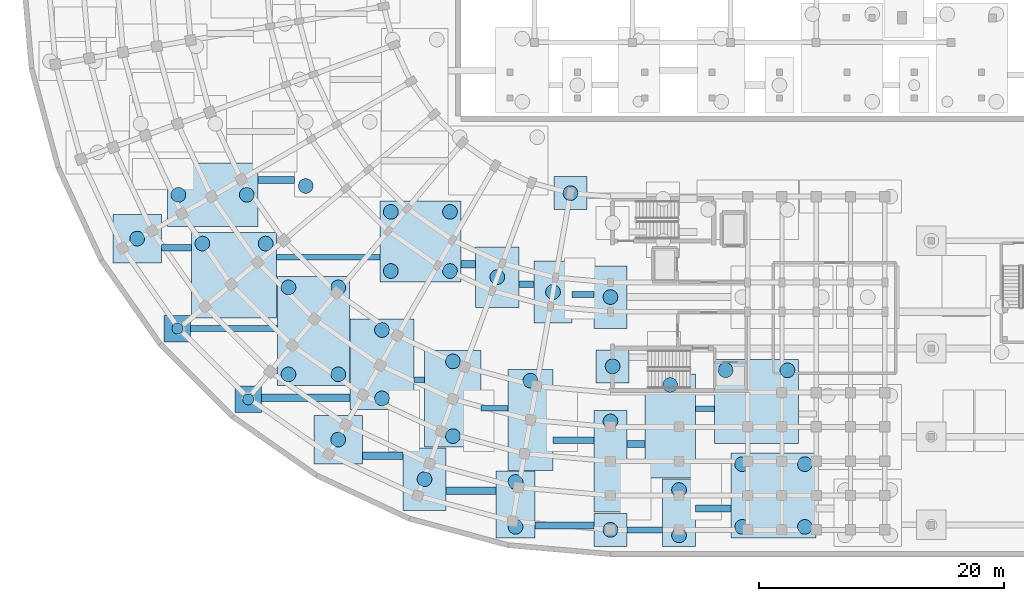
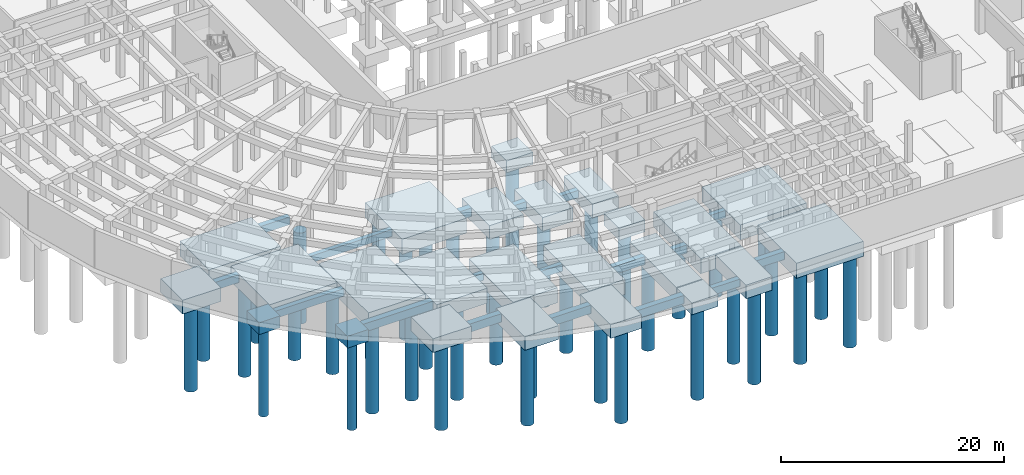
# One storey, part 1 of 53: 42 footings, 41 piles.
"""IFC4 building model written with IfcOpenShell, lengths in metres."""

import ifcopenshell
import ifcopenshell.guid

model = None  # the IFC model being written
_history = None  # IfcOwnerHistory: only IFC2X3 demands one
_inside = {}  # id of a spatial element -> (the spatial element, [elements in it])
_under = {}  # id of a project, library or spatial element -> (it, [spatial elements below it])
_declared = {}  # id of a project -> (the project, [libraries it declares])
_typed = {}  # id of a type object -> (the type object, [elements of that type])
_made_of = {}  # id of a material, layer set ... -> (it, [elements and type objects made of it])


def new_model(schema):
    """Start an empty IFC model of exactly this schema.

    Asked for "IFC4X3", IfcOpenShell would pick the latest addendum, in which some entities
    have other attributes; the version numbers below select the first issue.
    IFC2X3 requires an IfcOwnerHistory on every rooted entity: one is made here for all.
    """
    global model, _history
    if schema == "IFC4X3":
        model = ifcopenshell.file(schema_version=(4, 3, 0, 0))
    else:
        model = ifcopenshell.file(schema=schema)
    _inside.clear()
    _under.clear()
    _declared.clear()
    _typed.clear()
    _made_of.clear()
    _history = None
    if model.schema == "IFC2X3":
        org = make("IfcOrganization", Name="unknown")
        user = make(
            "IfcPersonAndOrganization",
            ThePerson=make("IfcPerson", FamilyName="unknown"),
            TheOrganization=org,
        )
        app = make(
            "IfcApplication",
            ApplicationDeveloper=org,
            Version="unknown",
            ApplicationFullName="unknown",
            ApplicationIdentifier="unknown",
        )
        _history = make(
            "IfcOwnerHistory",
            OwningUser=user,
            OwningApplication=app,
            ChangeAction="ADDED",
            CreationDate=0,
        )
    return model


def make(cls, **values):
    """One entity of the class cls with the attributes given. An attribute that is None is left unset."""
    return model.create_entity(
        cls, **{name: value for name, value in values.items() if value is not None}
    )


def rooted(cls, **values):
    """An entity with a GlobalId (a new one), such as an element, a storey or a relation."""
    return make(cls, GlobalId=ifcopenshell.guid.new(), OwnerHistory=_history, **values)


def si_unit(unit_type, name, prefix=None):
    """IfcSIUnit, for example si_unit("LENGTHUNIT", "METRE", prefix="MILLI")."""
    return make("IfcSIUnit", UnitType=unit_type, Prefix=prefix, Name=name)


def assignment(units):
    """IfcUnitAssignment: the units of a project."""
    return None if units is None else make("IfcUnitAssignment", Units=units)


def point(xyz):
    """IfcCartesianPoint."""
    return None if xyz is None else make("IfcCartesianPoint", Coordinates=xyz)


def direction(xyz):
    """IfcDirection."""
    return None if xyz is None else make("IfcDirection", DirectionRatios=xyz)


def frame(location, z_axis=None, x_axis=None):
    """IfcAxis2Placement3D, a coordinate frame: its origin and axes. An axis left out is left unset."""
    return make(
        "IfcAxis2Placement3D",
        Location=point(location),
        Axis=direction(z_axis),
        RefDirection=direction(x_axis),
    )


def frame_2d(location, x_axis=None):
    """IfcAxis2Placement2D, a coordinate frame in the plane: its origin and x axis."""
    return make(
        "IfcAxis2Placement2D", Location=point(location), RefDirection=direction(x_axis)
    )


def origin():
    """The frame at (0, 0, 0) with its axes left unset."""
    return frame((0.0, 0.0, 0.0))


def origin_2d():
    """The frame at (0, 0) in the plane with its x axis left unset."""
    return frame_2d((0.0, 0.0))


def place(relative_to, where):
    """IfcLocalPlacement: puts the frame where relative to a parent placement (None: the world)."""
    return make(
        "IfcLocalPlacement", PlacementRelTo=relative_to, RelativePlacement=where
    )


def context(
    kind, dimensions, precision=None, world=None, true_north=None, identifier=None
):
    """IfcGeometricRepresentationContext, for example the 3D "Model" context."""
    return make(
        "IfcGeometricRepresentationContext",
        ContextIdentifier=identifier,
        ContextType=kind,
        CoordinateSpaceDimension=dimensions,
        Precision=precision,
        WorldCoordinateSystem=world,
        TrueNorth=true_north,
    )


def subcontext(parent, identifier, kind, view, scale=None):
    """IfcGeometricRepresentationSubContext, for example "Body" below "Model"."""
    return make(
        "IfcGeometricRepresentationSubContext",
        ContextIdentifier=identifier,
        ContextType=kind,
        ParentContext=parent,
        TargetScale=scale,
        TargetView=view,
    )


def project(units=None, contexts=None):
    """IfcProject with its units and contexts."""
    return rooted(
        "IfcProject",
        Name="project",
        RepresentationContexts=contexts,
        UnitsInContext=assignment(units),
    )


def spatial(cls, under=None, at=None, **own):
    """A site, building, storey or space (cls), placed at a placement, below another one or the project."""
    s = rooted(cls, ObjectPlacement=at, **own)
    if under is not None:
        _under.setdefault(under.id(), (under, []))[1].append(s)
    return s


def profile(cls, at=None, kind="AREA", **sizes):
    """A parametric profile (cls). Its sizes go by their IFC names, for example OverallWidth=200.0."""
    return make(cls, ProfileType=kind, Position=at, **sizes)


def rectangle(**sizes):
    """IfcRectangleProfileDef."""
    return profile("IfcRectangleProfileDef", **sizes)


def circle(**sizes):
    """IfcCircleProfileDef."""
    return profile("IfcCircleProfileDef", **sizes)


def extrude(swept, where, along, depth):
    """IfcExtrudedAreaSolid: the profile swept, set in the frame where, extruded along a direction by depth."""
    return make(
        "IfcExtrudedAreaSolid",
        SweptArea=swept,
        Position=where,
        ExtrudedDirection=direction(along),
        Depth=depth,
    )


def shape(context_of_items, identifier, shape_type, items):
    """IfcShapeRepresentation: the items that make up one representation, for example the "Body"."""
    return make(
        "IfcShapeRepresentation",
        ContextOfItems=context_of_items,
        RepresentationIdentifier=identifier,
        RepresentationType=shape_type,
        Items=items,
    )


def material(Name=None, Category=None):
    """IfcMaterial."""
    return make("IfcMaterial", Name=Name, Category=Category)


def material_profile(
    of_material, cross_section, Name=None, Category=None, Priority=None
):
    """IfcMaterialProfile: a cross section and its material."""
    return make(
        "IfcMaterialProfile",
        Name=Name,
        Material=of_material,
        Profile=cross_section,
        Priority=Priority,
        Category=Category,
    )


def profile_set(profiles, Name=None, composite=None):
    """IfcMaterialProfileSet."""
    return make(
        "IfcMaterialProfileSet",
        Name=Name,
        MaterialProfiles=profiles,
        CompositeProfile=composite,
    )


def made_of(thing, what):
    """Note that an element or type object is made of a material, layer set ...; save() writes the relation."""
    if what is not None:
        _made_of.setdefault(what.id(), (what, []))[1].append(thing)
    return thing


def type_object(cls, material=None, **own):
    """A type object (cls), such as IfcWallType, which elements share."""
    return made_of(rooted(cls, **own), material)


def element(
    cls,
    number,
    at=None,
    inside=None,
    cuts=None,
    type_object=None,
    material=None,
    context=None,
    identifier="Body",
    shape_type=None,
    held_by="IfcProductDefinitionShape",
    body=None,
    shapes=None,
    **own,
):
    """One element of the class cls, such as IfcWall. Its Tag is "e" and its number.

    at: its placement. inside: the storey or other place that contains it. cuts: it is an
    opening in that element (IfcRelVoidsElement). A single representation is given by context,
    identifier, shape_type and body (its items); several are given by shapes. held_by: the class
    of the entity that holds the representations. save() writes the other relations.
    """
    e = rooted(cls, Tag="e%d" % number, ObjectPlacement=at, **own)
    if body is not None:
        shapes = [shape(context, identifier, shape_type, body)]
    if shapes is not None:
        e.Representation = make(held_by, Representations=shapes)
    if inside is not None:
        _inside.setdefault(inside.id(), (inside, []))[1].append(e)
    if cuts is not None:
        rooted(
            "IfcRelVoidsElement", RelatingBuildingElement=cuts, RelatedOpeningElement=e
        )
    if type_object is not None:
        _typed.setdefault(type_object.id(), (type_object, []))[1].append(e)
    return made_of(e, material)


def aggregate(whole, parts):
    """IfcRelAggregates: a whole, such as a stair, and the parts it consists of."""
    return rooted("IfcRelAggregates", RelatingObject=whole, RelatedObjects=parts)


def save(model, path):
    """Write the relations noted so far, then the file.

    IfcRelAggregates (storeys below a building ...), IfcRelContainedInSpatialStructure (elements
    in a storey), IfcRelDefinesByType, IfcRelAssociatesMaterial and IfcRelDeclares: one each for
    every whole, place, type object, material and project.
    """
    for whole, parts in _under.values():
        aggregate(whole, parts)
    for where, things in _inside.values():
        rooted(
            "IfcRelContainedInSpatialStructure",
            RelatedElements=things,
            RelatingStructure=where,
        )
    for kind, things in _typed.values():
        rooted("IfcRelDefinesByType", RelatedObjects=things, RelatingType=kind)
    for what, things in _made_of.values():
        rooted("IfcRelAssociatesMaterial", RelatedObjects=things, RelatingMaterial=what)
    for by, libraries in _declared.values():
        rooted("IfcRelDeclares", RelatingContext=by, RelatedDefinitions=libraries)
    model.write(path)


model = new_model("IFC4")

# Units and contexts
model_context = context("Model", 3, precision=1e-05, world=origin(), true_north=direction((0.0, 1.0)))
body_context = subcontext(model_context, "Body", "Model", "MODEL_VIEW")
ifc_project = project(units=[si_unit("LENGTHUNIT", "METRE"), si_unit("AREAUNIT", "SQUARE_METRE"), si_unit("VOLUMEUNIT", "CUBIC_METRE"), si_unit("PLANEANGLEUNIT", "RADIAN"), si_unit("MASSUNIT", "GRAM", prefix="KILO")], contexts=[model_context])

# Site, building, storey
site_placement = place(None, origin())
site = spatial("IfcSite", under=ifc_project, at=site_placement, CompositionType="ELEMENT")
building_placement = place(site_placement, origin())
building = spatial("IfcBuilding", under=site, at=building_placement, Name="Kiranvali Square Residences", CompositionType="ELEMENT")
storey_placement = place(building_placement, frame((0.0, 0.0, -4.5)))
storey = spatial("IfcBuildingStorey", under=building, at=storey_placement, Name="B1", CompositionType="ELEMENT", Elevation=-4.5)

# Footings
ifc_material = material(Name="Concrete M40 (40 MPa)", Category="concrete")
footing_type_1 = type_object("IfcFootingType", Name="FTG-PILE_CAP-217x217x130", PredefinedType="PILE_CAP", material=ifc_material)
for number, where, z_axis, x_axis, name in (
    (1, (18.632080078125, 12.845947265625, -1.7998046875), (0.0, 0.0, 1.0), (1.0, 0.0, 0.0), "B1 pile cap 034"),
    (2, (12.845947265625, 18.632080078125, -1.7998046875), (0.0, 0.0, 1.0), (1.0, 0.0, 0.0), "B1 pile cap 045"),
):
    element("IfcFooting", number, at=place(storey_placement, frame(where, z_axis=z_axis, x_axis=x_axis)), inside=storey, type_object=footing_type_1, Name=name, PredefinedType="PILE_CAP", context=body_context, shape_type="SweptSolid", body=[
        extrude(rectangle(XDim=2.16796875, YDim=2.16796875, at=origin_2d()), origin(), (0.0, 0.0, 1.0), 1.300048828125),
    ])
footing_type_2 = type_object("IfcFootingType", Name="FTG-PILE_CAP-270x270x130", PredefinedType="PILE_CAP", material=ifc_material)
for number, where, z_axis, x_axis, name in (
    (3, (48.199951171875, 2.199951171875, -1.7998046875), (0.0, 0.0, 1.0), (1.0, 0.0, 0.0), "B1 pile cap 001"),
    (4, (48.375, 15.550048828125, -1.7998046875), (0.0, 0.0, 1.0), (1.0, 0.0, 0.0), "B1 pile cap 039"),
    (5, (44.93505859375, 29.68603515625, -1.7998046875), (0.0, 0.0, 1.0), (1.0, 0.0, 0.0), "B1 pile cap 069"),
):
    element("IfcFooting", number, at=place(storey_placement, frame(where, z_axis=z_axis, x_axis=x_axis)), inside=storey, type_object=footing_type_2, Name=name, PredefinedType="PILE_CAP", context=body_context, shape_type="SweptSolid", body=[
        extrude(rectangle(XDim=2.699951171875, YDim=2.699951171875, at=origin_2d()), origin(), (0.0, 0.0, 1.0), 1.300048828125),
    ])
footing_type_3 = type_object("IfcFootingType", Name="FTG-PILE_CAP-395x395x150", PredefinedType="PILE_CAP", material=ifc_material)
for number, where, z_axis, x_axis, name in (
    (6, (25.97509765625, 9.56689453125, -2.0), (0.0, 0.0, 1.0), (1.0, 0.0, 0.0), "B1 pile cap 016"),
    (7, (9.56689453125, 25.97509765625, -2.0), (0.0, 0.0, 1.0), (1.0, 0.0, 0.0), "B1 pile cap 060"),
):
    element("IfcFooting", number, at=place(storey_placement, frame(where, z_axis=z_axis, x_axis=x_axis)), inside=storey, type_object=footing_type_3, Name=name, PredefinedType="PILE_CAP", context=body_context, shape_type="SweptSolid", body=[
        extrude(rectangle(XDim=3.949951171875, YDim=3.949951171875, at=origin_2d()), origin(), (0.0, 0.0, 1.0), 1.5),
    ])
footing_type_4 = type_object("IfcFootingType", Name="FTG-PILE_CAP-496x352x150", PredefinedType="PILE_CAP", material=ifc_material)
footing_1_placement = place(storey_placement, frame((38.965576171875, 22.82861328125, -2.0), z_axis=(0.0, 0.0, 1.0), x_axis=(0.0, 1.0, 0.0)))
element("IfcFooting", 8, at=footing_1_placement, inside=storey, type_object=footing_type_4, Name="B1 pile cap 051", PredefinedType="PILE_CAP", context=body_context, shape_type="SweptSolid", body=[
    extrude(rectangle(XDim=4.955078125, YDim=3.52099609375, at=origin_2d()), origin(), (0.0, 0.0, 1.0), 1.5),
])
footing_type_5 = type_object("IfcFootingType", Name="FTG-PILE_CAP-506x312x150", PredefinedType="PILE_CAP", material=ifc_material)
footing_2_placement = place(storey_placement, frame((43.511474609375, 21.610107421875, -2.0), z_axis=(0.0, 0.0, 1.0), x_axis=(0.0, 1.0, 0.0)))
element("IfcFooting", 9, at=footing_2_placement, inside=storey, type_object=footing_type_5, Name="B1 pile cap 050", PredefinedType="PILE_CAP", context=body_context, shape_type="SweptSolid", body=[
    extrude(rectangle(XDim=5.06396484375, YDim=3.116943359375, at=origin_2d()), origin(), (0.0, 0.0, 1.0), 1.5),
])
footing_type_6 = type_object("IfcFootingType", Name="FTG-PILE_CAP-510x270x150", PredefinedType="PILE_CAP", material=ifc_material)
footing_3_placement = place(storey_placement, frame((48.199951171875, 21.199951171875, -2.0), z_axis=(0.0, 0.0, 1.0), x_axis=(0.0, 1.0, 0.0)))
element("IfcFooting", 10, at=footing_3_placement, inside=storey, type_object=footing_type_6, Name="B1 pile cap 046", PredefinedType="PILE_CAP", context=body_context, shape_type="SweptSolid", body=[
    extrude(rectangle(XDim=5.10009765625, YDim=2.699951171875, at=origin_2d()), origin(), (0.0, 0.0, 1.0), 1.5),
])
footing_type_7 = type_object("IfcFootingType", Name="FTG-PILE_CAP-512x351x150", PredefinedType="PILE_CAP", material=ifc_material)
footing_4_placement = place(storey_placement, frame((33.02099609375, 6.33251953125, -2.0), z_axis=(0.0, 0.0, 1.0), x_axis=(0.0, 1.0, 0.0)))
element("IfcFooting", 11, at=footing_4_placement, inside=storey, type_object=footing_type_7, Name="B1 pile cap 012", PredefinedType="PILE_CAP", context=body_context, shape_type="SweptSolid", body=[
    extrude(rectangle(XDim=5.116943359375, YDim=3.508056640625, at=origin_2d()), origin(), (0.0, 0.0, 1.0), 1.5),
])
footing_type_8 = type_object("IfcFootingType", Name="FTG-PILE_CAP-546x319x150", PredefinedType="PILE_CAP", material=ifc_material)
footing_5_placement = place(storey_placement, frame((40.455078125, 4.277587890625, -2.0), z_axis=(0.0, 0.0, 1.0), x_axis=(0.0, 1.0, 0.0)))
element("IfcFooting", 12, at=footing_5_placement, inside=storey, type_object=footing_type_8, Name="B1 pile cap 007", PredefinedType="PILE_CAP", context=body_context, shape_type="SweptSolid", body=[
    extrude(rectangle(XDim=5.45703125, YDim=3.18603515625, at=origin_2d()), origin(), (0.0, 0.0, 1.0), 1.5),
])
footing_type_9 = type_object("IfcFootingType", Name="FTG-PILE_CAP-550x270x150", PredefinedType="PILE_CAP", material=ifc_material)
footing_6_placement = place(storey_placement, frame((53.800048828125, 3.60009765625, -2.0), z_axis=(0.0, 0.0, 1.0), x_axis=(0.0, 1.0, 0.0)))
element("IfcFooting", 13, at=footing_6_placement, inside=storey, type_object=footing_type_9, Name="B1 pile cap 002", PredefinedType="PILE_CAP", context=body_context, shape_type="SweptSolid", body=[
    extrude(rectangle(XDim=5.5, YDim=2.699951171875, at=origin_2d()), origin(), (0.0, 0.0, 1.0), 1.5),
])
footing_type_10 = type_object("IfcFootingType", Name="FTG-PILE_CAP-663x663x165", PredefinedType="PILE_CAP", material=ifc_material)
footing_7_placement = place(storey_placement, frame((32.6865234375, 25.743408203125, -2.14990234375), z_axis=(0.0, 0.0, 1.0), x_axis=(1.0, 0.0, 0.0)))
element("IfcFooting", 14, at=footing_7_placement, inside=storey, type_object=footing_type_10, Name="B1 pile cap 052", PredefinedType="PILE_CAP", context=body_context, shape_type="SweptSolid", body=[
    extrude(rectangle(XDim=6.631103515625, YDim=6.631103515625, at=origin_2d()), origin(), (0.0, 0.0, 1.0), 1.64990234375),
])
footing_type_11 = type_object("IfcFootingType", Name="FTG-PILE_CAP-688x685x165", PredefinedType="PILE_CAP", material=ifc_material)
footing_8_placement = place(storey_placement, frame((60.125, 12.6875, -2.14990234375), z_axis=(0.0, 0.0, 1.0), x_axis=(0.0, 1.0, 0.0)))
element("IfcFooting", 15, at=footing_8_placement, inside=storey, type_object=footing_type_11, Name="B1 pile cap 023", PredefinedType="PILE_CAP", context=body_context, shape_type="SweptSolid", body=[
    extrude(rectangle(XDim=6.875, YDim=6.85009765625, at=origin_2d()), origin(), (0.0, 0.0, 1.0), 1.64990234375),
])
footing_type_12 = type_object("IfcFootingType", Name="FTG-PILE_CAP-692x692x165", PredefinedType="PILE_CAP", material=ifc_material)
footing_9_placement = place(storey_placement, frame((61.510009765625, 5.0, -2.14990234375), z_axis=(0.0, 0.0, 1.0), x_axis=(1.0, 0.0, 0.0)))
element("IfcFooting", 16, at=footing_9_placement, inside=storey, type_object=footing_type_12, Name="B1 pile cap 003", PredefinedType="PILE_CAP", context=body_context, shape_type="SweptSolid", body=[
    extrude(rectangle(XDim=6.919921875, YDim=6.919921875, at=origin_2d()), origin(), (0.0, 0.0, 1.0), 1.64990234375),
])
footing_type_13 = type_object("IfcFootingType", Name="FTG-PILE_CAP-697x697x165", PredefinedType="PILE_CAP", material=ifc_material)
footing_10_placement = place(storey_placement, frame((17.472900390625, 22.98388671875, -2.14990234375), z_axis=(0.0, 0.0, 1.0), x_axis=(1.0, 0.0, 0.0)))
element("IfcFooting", 17, at=footing_10_placement, inside=storey, type_object=footing_type_13, Name="B1 pile cap 049", PredefinedType="PILE_CAP", context=body_context, shape_type="SweptSolid", body=[
    extrude(rectangle(XDim=6.968017578125, YDim=6.968017578125, at=origin_2d()), origin(), (0.0, 0.0, 1.0), 1.64990234375),
])
footing_type_14 = type_object("IfcFootingType", Name="FTG-PILE_CAP-738x520x165", PredefinedType="PILE_CAP", material=ifc_material)
for number, where, z_axis, x_axis, name in (
    (18, (29.548095703125, 15.720947265625, -2.14990234375), (0.0, 0.0, 1.0), (0.0, 1.0, 0.0), "B1 pile cap 035"),
    (19, (15.720947265625, 29.548095703125, -2.14990234375), (0.0, 0.0, 1.0), (1.0, 0.0, 0.0), "B1 pile cap 066"),
):
    element("IfcFooting", number, at=place(storey_placement, frame(where, z_axis=z_axis, x_axis=x_axis)), inside=storey, type_object=footing_type_14, Name=name, PredefinedType="PILE_CAP", context=body_context, shape_type="SweptSolid", body=[
        extrude(rectangle(XDim=7.382080078125, YDim=5.2041015625, at=origin_2d()), origin(), (0.0, 0.0, 1.0), 1.64990234375),
    ])
footing_type_15 = type_object("IfcFootingType", Name="FTG-PILE_CAP-790x462x165", PredefinedType="PILE_CAP", material=ifc_material)
footing_11_placement = place(storey_placement, frame((35.340087890625, 12.8994140625, -2.14990234375), z_axis=(0.0, 0.0, 1.0), x_axis=(0.0, 1.0, 0.0)))
element("IfcFooting", 20, at=footing_11_placement, inside=storey, type_object=footing_type_15, Name="B1 pile cap 022", PredefinedType="PILE_CAP", context=body_context, shape_type="SweptSolid", body=[
    extrude(rectangle(XDim=7.89892578125, YDim=4.615966796875, at=origin_2d()), origin(), (0.0, 0.0, 1.0), 1.64990234375),
])
footing_type_16 = type_object("IfcFootingType", Name="FTG-PILE_CAP-821x367x165", PredefinedType="PILE_CAP", material=ifc_material)
footing_12_placement = place(storey_placement, frame((41.6708984375, 11.17138671875, -2.14990234375), z_axis=(0.0, 0.0, 1.0), x_axis=(0.0, 1.0, 0.0)))
element("IfcFooting", 21, at=footing_12_placement, inside=storey, type_object=footing_type_16, Name="B1 pile cap 015", PredefinedType="PILE_CAP", context=body_context, shape_type="SweptSolid", body=[
    extrude(rectangle(XDim=8.215087890625, YDim=3.672119140625, at=origin_2d()), origin(), (0.0, 0.0, 1.0), 1.64990234375),
])
footing_type_17 = type_object("IfcFootingType", Name="FTG-PILE_CAP-830x270x150", PredefinedType="PILE_CAP", material=ifc_material)
footing_13_placement = place(storey_placement, frame((48.199951171875, 7.800048828125, -2.0), z_axis=(0.0, 0.0, 1.0), x_axis=(0.0, 1.0, 0.0)))
element("IfcFooting", 22, at=footing_13_placement, inside=storey, type_object=footing_type_17, Name="B1 pile cap 011", PredefinedType="PILE_CAP", context=body_context, shape_type="SweptSolid", body=[
    extrude(rectangle(XDim=8.300048828125, YDim=2.699951171875, at=origin_2d()), origin(), (0.0, 0.0, 1.0), 1.5),
])
footing_type_18 = type_object("IfcFootingType", Name="FTG-PILE_CAP-847x415x165", PredefinedType="PILE_CAP", material=ifc_material)
footing_14_placement = place(storey_placement, frame((53.075927734375, 10.6875, -2.14990234375), z_axis=(0.0, 0.0, 1.0), x_axis=(0.0, 1.0, 0.0)))
element("IfcFooting", 23, at=footing_14_placement, inside=storey, type_object=footing_type_18, Name="B1 pile cap 013", PredefinedType="PILE_CAP", context=body_context, shape_type="SweptSolid", body=[
    extrude(rectangle(XDim=8.47509765625, YDim=4.14794921875, at=origin_2d()), origin(), (0.0, 0.0, 1.0), 1.64990234375),
])
footing_type_19 = type_object("IfcFootingType", Name="FTG-PILE_CAP-890x587x165", PredefinedType="PILE_CAP", material=ifc_material)
footing_15_placement = place(storey_placement, frame((23.951416015625, 18.4404296875, -2.14990234375), z_axis=(0.0, 0.0, 1.0), x_axis=(0.0, 1.0, 0.0)))
element("IfcFooting", 24, at=footing_15_placement, inside=storey, type_object=footing_type_19, Name="B1 pile cap 038", PredefinedType="PILE_CAP", context=body_context, shape_type="SweptSolid", body=[
    extrude(rectangle(XDim=8.903076171875, YDim=5.868896484375, at=origin_2d()), origin(), (0.0, 0.0, 1.0), 1.64990234375),
])
ifc_material_profile_1 = material_profile(ifc_material, rectangle(XDim=0.449951171875, YDim=0.75, at=origin_2d()), Name="GB 450x750")
ifc_profile_set_1 = profile_set([ifc_material_profile_1], Name="Concrete M40 (40 MPa)")
footing_type_20 = type_object("IfcFootingType", Name="GB-M40-450x750", PredefinedType="FOOTING_BEAM", material=ifc_profile_set_1)
footing_16_placement = place(storey_placement, frame((55.14990234375, 12.08740234375, -0.875), z_axis=(1.0, 0.0, 0.0), x_axis=(0.0, 1.0, 0.0)))
element("IfcFooting", 25, at=footing_16_placement, inside=storey, type_object=footing_type_20, Name="Continuous foundation ground beam GB-012", PredefinedType="FOOTING_BEAM", context=body_context, shape_type="SweptSolid", body=[
    extrude(rectangle(XDim=0.449951171875, YDim=0.75, at=origin_2d()), origin(), (0.0, 0.0, 1.0), 1.550048828125),
])
footing_17_placement = place(storey_placement, frame((37.64794921875, 12.114501953125, -0.875), z_axis=(1.0, 0.0, 0.0), x_axis=(0.0, 1.0, 0.0)))
element("IfcFooting", 26, at=footing_17_placement, inside=storey, type_object=footing_type_20, Name="Continuous foundation ground beam GB-020", PredefinedType="FOOTING_BEAM", context=body_context, shape_type="SweptSolid", body=[
    extrude(rectangle(XDim=0.449951171875, YDim=0.75, at=origin_2d()), origin(), (0.0, 0.0, 1.0), 2.18701171875),
])
footing_18_placement = place(storey_placement, frame((32.14990234375, 14.439453125, -0.875), z_axis=(1.0, 0.0, 0.0), x_axis=(0.0, 1.0, 0.0)))
element("IfcFooting", 27, at=footing_18_placement, inside=storey, type_object=footing_type_20, Name="Continuous foundation ground beam GB-032", PredefinedType="FOOTING_BEAM", context=body_context, shape_type="SweptSolid", body=[
    extrude(rectangle(XDim=0.449951171875, YDim=0.75, at=origin_2d()), origin(), (0.0, 0.0, 1.0), 0.882080078125),
])
footing_19_placement = place(storey_placement, frame((20.95703125, 24.447998046875, -0.875), z_axis=(1.0, 0.0, 0.0), x_axis=(0.0, 1.0, 0.0)))
element("IfcFooting", 28, at=footing_19_placement, inside=storey, type_object=footing_type_20, Name="Continuous foundation ground beam GB-040", PredefinedType="FOOTING_BEAM", context=body_context, shape_type="SweptSolid", body=[
    extrude(rectangle(XDim=0.449951171875, YDim=0.75, at=origin_2d()), origin(), (0.0, 0.0, 1.0), 8.4140625),
])
ifc_material_profile_2 = material_profile(ifc_material, rectangle(XDim=0.5, YDim=0.800048828125, at=origin_2d()), Name="GB 500x800")
ifc_profile_set_2 = profile_set([ifc_material_profile_2], Name="Concrete M40 (40 MPa)")
footing_type_21 = type_object("IfcFootingType", Name="GB-M40-500x800", PredefinedType="FOOTING_BEAM", material=ifc_profile_set_2)
footing_20_placement = place(storey_placement, frame((49.550048828125, 2.199951171875, -0.89990234375), z_axis=(1.0, 0.0, 0.0), x_axis=(0.0, 1.0, 0.0)))
element("IfcFooting", 29, at=footing_20_placement, inside=storey, type_object=footing_type_21, Name="Continuous foundation ground beam GB-001", PredefinedType="FOOTING_BEAM", context=body_context, shape_type="SweptSolid", body=[
    extrude(rectangle(XDim=0.5, YDim=0.800048828125, at=origin_2d()), origin(), (0.0, 0.0, 1.0), 2.89990234375),
])
footing_21_placement = place(storey_placement, frame((13.929931640625, 18.632080078125, -0.89990234375), z_axis=(1.0, 0.0, 0.0), x_axis=(0.0, 1.0, 0.0)))
element("IfcFooting", 30, at=footing_21_placement, inside=storey, type_object=footing_type_21, Name="Continuous foundation ground beam GB-037", PredefinedType="FOOTING_BEAM", context=body_context, shape_type="SweptSolid", body=[
    extrude(rectangle(XDim=0.5, YDim=0.800048828125, at=origin_2d()), origin(), (0.0, 0.0, 1.0), 7.087158203125),
])
footing_22_placement = place(storey_placement, frame((45.070068359375, 21.4140625, -0.89990234375), z_axis=(1.0, 0.0, 0.0), x_axis=(0.0, 1.0, 0.0)))
element("IfcFooting", 31, at=footing_22_placement, inside=storey, type_object=footing_type_21, Name="Continuous foundation ground beam GB-041", PredefinedType="FOOTING_BEAM", context=body_context, shape_type="SweptSolid", body=[
    extrude(rectangle(XDim=0.5, YDim=0.800048828125, at=origin_2d()), origin(), (0.0, 0.0, 1.0), 1.780029296875),
])
ifc_material_profile_3 = material_profile(ifc_material, rectangle(XDim=0.550048828125, YDim=0.85009765625, at=origin_2d()), Name="GB 550x850")
ifc_profile_set_3 = profile_set([ifc_material_profile_3], Name="Concrete M40 (40 MPa)")
footing_type_22 = type_object("IfcFootingType", Name="GB-M40-550x850", PredefinedType="FOOTING_BEAM", material=ifc_profile_set_3)
footing_23_placement = place(storey_placement, frame((55.14990234375, 3.945068359375, -0.925048828125), z_axis=(1.0, 0.0, 0.0), x_axis=(0.0, 1.0, 0.0)))
element("IfcFooting", 32, at=footing_23_placement, inside=storey, type_object=footing_type_22, Name="Continuous foundation ground beam GB-002", PredefinedType="FOOTING_BEAM", context=body_context, shape_type="SweptSolid", body=[
    extrude(rectangle(XDim=0.550048828125, YDim=0.85009765625, at=origin_2d()), origin(), (0.0, 0.0, 1.0), 2.900146484375),
])
footing_24_placement = place(storey_placement, frame((49.550048828125, 9.199951171875, -0.925048828125), z_axis=(1.0, 0.0, 0.0), x_axis=(0.0, 1.0, 0.0)))
element("IfcFooting", 33, at=footing_24_placement, inside=storey, type_object=footing_type_22, Name="Continuous foundation ground beam GB-010", PredefinedType="FOOTING_BEAM", context=body_context, shape_type="SweptSolid", body=[
    extrude(rectangle(XDim=0.550048828125, YDim=0.85009765625, at=origin_2d()), origin(), (0.0, 0.0, 1.0), 1.451904296875),
])
footing_25_placement = place(storey_placement, frame((43.507080078125, 9.507080078125, -0.925048828125), z_axis=(1.0, 0.0, 0.0), x_axis=(0.0, 1.0, 0.0)))
element("IfcFooting", 34, at=footing_25_placement, inside=storey, type_object=footing_type_22, Name="Continuous foundation ground beam GB-014", PredefinedType="FOOTING_BEAM", context=body_context, shape_type="SweptSolid", body=[
    extrude(rectangle(XDim=0.550048828125, YDim=0.85009765625, at=origin_2d()), origin(), (0.0, 0.0, 1.0), 3.343017578125),
])
footing_26_placement = place(storey_placement, frame((40.72607421875, 22.24658203125, -0.925048828125), z_axis=(1.0, 0.0, 0.0), x_axis=(0.0, 1.0, 0.0)))
element("IfcFooting", 35, at=footing_26_placement, inside=storey, type_object=footing_type_22, Name="Continuous foundation ground beam GB-042", PredefinedType="FOOTING_BEAM", context=body_context, shape_type="SweptSolid", body=[
    extrude(rectangle(XDim=0.550048828125, YDim=0.85009765625, at=origin_2d()), origin(), (0.0, 0.0, 1.0), 1.226806640625),
])
footing_27_placement = place(storey_placement, frame((11.5419921875, 25.23388671875, -0.925048828125), z_axis=(1.0, 0.0, 0.0), x_axis=(0.0, 1.0, 0.0)))
element("IfcFooting", 36, at=footing_27_placement, inside=storey, type_object=footing_type_22, Name="Continuous foundation ground beam GB-050", PredefinedType="FOOTING_BEAM", context=body_context, shape_type="SweptSolid", body=[
    extrude(rectangle(XDim=0.550048828125, YDim=0.85009765625, at=origin_2d()), origin(), (0.0, 0.0, 1.0), 2.447021484375),
])
footing_28_placement = place(storey_placement, frame((19.412109375, 30.760498046875, -0.925048828125), z_axis=(1.0, 0.0, 0.0), x_axis=(0.0, 1.0, 0.0)))
element("IfcFooting", 37, at=footing_28_placement, inside=storey, type_object=footing_type_22, Name="Continuous foundation ground beam GB-054", PredefinedType="FOOTING_BEAM", context=body_context, shape_type="SweptSolid", body=[
    extrude(rectangle(XDim=0.550048828125, YDim=0.85009765625, at=origin_2d()), origin(), (0.0, 0.0, 1.0), 3.015869140625),
])
ifc_material_profile_4 = material_profile(ifc_material, rectangle(XDim=0.60009765625, YDim=0.89990234375, at=origin_2d()), Name="GB 600x900")
ifc_profile_set_4 = profile_set([ifc_material_profile_4], Name="Concrete M40 (40 MPa)")
footing_type_23 = type_object("IfcFootingType", Name="GB-M40-600x900", PredefinedType="FOOTING_BEAM", material=ifc_profile_set_4)
footing_29_placement = place(storey_placement, frame((42.048095703125, 2.549560546875, -0.949951171875), z_axis=(1.0, 0.0, 0.0), x_axis=(0.0, 1.0, 0.0)))
element("IfcFooting", 38, at=footing_29_placement, inside=storey, type_object=footing_type_23, Name="Continuous foundation ground beam GB-007", PredefinedType="FOOTING_BEAM", context=body_context, shape_type="SweptSolid", body=[
    extrude(rectangle(XDim=0.60009765625, YDim=0.89990234375, at=origin_2d()), origin(), (0.0, 0.0, 1.0), 4.802001953125),
])
footing_30_placement = place(storey_placement, frame((34.77490234375, 5.389892578125, -0.949951171875), z_axis=(1.0, 0.0, 0.0), x_axis=(0.0, 1.0, 0.0)))
element("IfcFooting", 39, at=footing_30_placement, inside=storey, type_object=footing_type_23, Name="Continuous foundation ground beam GB-011", PredefinedType="FOOTING_BEAM", context=body_context, shape_type="SweptSolid", body=[
    extrude(rectangle(XDim=0.60009765625, YDim=0.89990234375, at=origin_2d()), origin(), (0.0, 0.0, 1.0), 4.087158203125),
])
footing_31_placement = place(storey_placement, frame((27.949951171875, 8.241455078125, -0.949951171875), z_axis=(1.0, 0.0, 0.0), x_axis=(0.0, 1.0, 0.0)))
element("IfcFooting", 40, at=footing_31_placement, inside=storey, type_object=footing_type_23, Name="Continuous foundation ground beam GB-015", PredefinedType="FOOTING_BEAM", context=body_context, shape_type="SweptSolid", body=[
    extrude(rectangle(XDim=0.60009765625, YDim=0.89990234375, at=origin_2d()), origin(), (0.0, 0.0, 1.0), 3.317138671875),
])
footing_32_placement = place(storey_placement, frame((19.716064453125, 12.97998046875, -0.949951171875), z_axis=(1.0, 0.0, 0.0), x_axis=(0.0, 1.0, 0.0)))
element("IfcFooting", 41, at=footing_32_placement, inside=storey, type_object=footing_type_23, Name="Continuous foundation ground beam GB-031", PredefinedType="FOOTING_BEAM", context=body_context, shape_type="SweptSolid", body=[
    extrude(rectangle(XDim=0.60009765625, YDim=0.89990234375, at=origin_2d()), origin(), (0.0, 0.0, 1.0), 7.22998046875),
])
footing_33_placement = place(storey_placement, frame((36.001953125, 23.866943359375, -0.949951171875), z_axis=(1.0, 0.0, 0.0), x_axis=(0.0, 1.0, 0.0)))
element("IfcFooting", 42, at=footing_33_placement, inside=storey, type_object=footing_type_23, Name="Continuous foundation ground beam GB-043", PredefinedType="FOOTING_BEAM", context=body_context, shape_type="SweptSolid", body=[
    extrude(rectangle(XDim=0.60009765625, YDim=0.89990234375, at=origin_2d()), origin(), (0.0, 0.0, 1.0), 1.203125),
])

# Piles
ifc_material_profile_5 = material_profile(ifc_material, circle(Radius=0.60009765625, at=origin_2d()), Name="BORED PILE 1200")
ifc_profile_set_5 = profile_set([ifc_material_profile_5], Name="Concrete M40 (40 MPa)")
pile_type_1 = type_object("IfcPileType", Name="PILE-BORED-1200", PredefinedType="BORED", material=ifc_profile_set_5)
pile_1_placement = place(storey_placement, frame((48.199951171875, 2.199951171875, -1.699951171875), z_axis=(0.0, 0.0, -1.0), x_axis=(1.0, 0.0, 0.0)))
element("IfcPile", 43, at=pile_1_placement, inside=storey, type_object=pile_type_1, Name="Bored basalt-socketed pile P-0001", PredefinedType="BORED", context=body_context, shape_type="SweptSolid", body=[
    extrude(circle(Radius=0.60009765625, at=origin_2d()), origin(), (0.0, 0.0, 1.0), 10.300048828125),
])
for number, where, z_axis, x_axis, name in (
    (44, (53.800048828125, 1.75, -1.89990234375), (0.0, 0.0, -1.0), (1.0, 0.0, 0.0), "Bored basalt-socketed pile P-0002"),
    (45, (53.800048828125, 5.449951171875, -1.89990234375), (0.0, 0.0, -1.0), (1.0, 0.0, 0.0), "Bored basalt-socketed pile P-0003"),
):
    element("IfcPile", number, at=place(storey_placement, frame(where, z_axis=z_axis, x_axis=x_axis)), inside=storey, type_object=pile_type_1, Name=name, PredefinedType="BORED", context=body_context, shape_type="SweptSolid", body=[
        extrude(circle(Radius=0.60009765625, at=origin_2d()), origin(), (0.0, 0.0, 1.0), 10.10009765625),
    ])
for number, where, z_axis, x_axis, name in (
    (46, (58.949951171875, 2.43994140625, -2.050048828125), (0.0, 0.0, -1.0), (1.0, 0.0, 0.0), "Bored basalt-socketed pile P-0004"),
    (47, (58.949951171875, 7.56005859375, -2.050048828125), (0.0, 0.0, -1.0), (1.0, 0.0, 0.0), "Bored basalt-socketed pile P-0005"),
    (48, (64.070068359375, 2.43994140625, -2.050048828125), (0.0, 0.0, -1.0), (1.0, 0.0, 0.0), "Bored basalt-socketed pile P-0006"),
    (49, (64.070068359375, 7.56005859375, -2.050048828125), (0.0, 0.0, -1.0), (1.0, 0.0, 0.0), "Bored basalt-socketed pile P-0007"),
):
    element("IfcPile", number, at=place(storey_placement, frame(where, z_axis=z_axis, x_axis=x_axis)), inside=storey, type_object=pile_type_1, Name=name, PredefinedType="BORED", context=body_context, shape_type="SweptSolid", body=[
        extrude(circle(Radius=0.60009765625, at=origin_2d()), origin(), (0.0, 0.0, 1.0), 9.949951171875),
    ])
for number, where, z_axis, x_axis, name in (
    (50, (40.455078125, 2.448974609375, -1.89990234375), (0.0, 0.0, -1.0), (1.0, 0.0, 0.0), "Bored basalt-socketed pile P-0014"),
    (51, (40.455078125, 6.10595703125, -1.89990234375), (0.0, 0.0, -1.0), (1.0, 0.0, 0.0), "Bored basalt-socketed pile P-0015"),
    (52, (48.199951171875, 11.050048828125, -1.89990234375), (0.0, 0.0, -1.0), (1.0, 0.0, 0.0), "Bored basalt-socketed pile P-0019"),
    (53, (33.02099609375, 6.33251953125, -1.89990234375), (0.0, 0.0, -1.0), (1.0, 0.0, 0.0), "Bored basalt-socketed pile P-0020"),
):
    element("IfcPile", number, at=place(storey_placement, frame(where, z_axis=z_axis, x_axis=x_axis)), inside=storey, type_object=pile_type_1, Name=name, PredefinedType="BORED", context=body_context, shape_type="SweptSolid", body=[
        extrude(circle(Radius=0.60009765625, at=origin_2d()), origin(), (0.0, 0.0, 1.0), 10.10009765625),
    ])
for number, where, z_axis, x_axis, name in (
    (54, (53.075927734375, 14.02490234375, -2.050048828125), (0.0, 0.0, -1.0), (1.0, 0.0, 0.0), "Bored basalt-socketed pile P-0021"),
    (55, (41.6708984375, 14.37890625, -2.050048828125), (0.0, 0.0, -1.0), (1.0, 0.0, 0.0), "Bored basalt-socketed pile P-0024"),
):
    element("IfcPile", number, at=place(storey_placement, frame(where, z_axis=z_axis, x_axis=x_axis)), inside=storey, type_object=pile_type_1, Name=name, PredefinedType="BORED", context=body_context, shape_type="SweptSolid", body=[
        extrude(circle(Radius=0.60009765625, at=origin_2d()), origin(), (0.0, 0.0, 1.0), 9.949951171875),
    ])
pile_2_placement = place(storey_placement, frame((25.97509765625, 9.56689453125, -1.89990234375), z_axis=(0.0, 0.0, -1.0), x_axis=(1.0, 0.0, 0.0)))
element("IfcPile", 56, at=pile_2_placement, inside=storey, type_object=pile_type_1, Name="Bored basalt-socketed pile P-0025", PredefinedType="BORED", context=body_context, shape_type="SweptSolid", body=[
    extrude(circle(Radius=0.60009765625, at=origin_2d()), origin(), (0.0, 0.0, 1.0), 10.10009765625),
])
for number, where, z_axis, x_axis, name in (
    (57, (35.340087890625, 9.85009765625, -2.050048828125), (0.0, 0.0, -1.0), (1.0, 0.0, 0.0), "Bored basalt-socketed pile P-0031"),
    (58, (35.340087890625, 15.948974609375, -2.050048828125), (0.0, 0.0, -1.0), (1.0, 0.0, 0.0), "Bored basalt-socketed pile P-0032"),
    (59, (57.60009765625, 15.22509765625, -2.050048828125), (0.0, 0.0, -1.0), (1.0, 0.0, 0.0), "Bored basalt-socketed pile P-0033"),
    (60, (62.64990234375, 15.22509765625, -2.050048828125), (0.0, 0.0, -1.0), (1.0, 0.0, 0.0), "Bored basalt-socketed pile P-0034"),
    (61, (29.548095703125, 12.929931640625, -2.050048828125), (0.0, 0.0, -1.0), (1.0, 0.0, 0.0), "Bored basalt-socketed pile P-0046"),
    (62, (29.548095703125, 18.511962890625, -2.050048828125), (0.0, 0.0, -1.0), (1.0, 0.0, 0.0), "Bored basalt-socketed pile P-0047"),
    (63, (21.9169921875, 14.888916015625, -2.050048828125), (0.0, 0.0, -1.0), (1.0, 0.0, 0.0), "Bored basalt-socketed pile P-0050"),
    (64, (21.9169921875, 21.991943359375, -2.050048828125), (0.0, 0.0, -1.0), (1.0, 0.0, 0.0), "Bored basalt-socketed pile P-0051"),
    (65, (25.986083984375, 14.888916015625, -2.050048828125), (0.0, 0.0, -1.0), (1.0, 0.0, 0.0), "Bored basalt-socketed pile P-0052"),
    (66, (25.986083984375, 21.991943359375, -2.050048828125), (0.0, 0.0, -1.0), (1.0, 0.0, 0.0), "Bored basalt-socketed pile P-0053"),
):
    element("IfcPile", number, at=place(storey_placement, frame(where, z_axis=z_axis, x_axis=x_axis)), inside=storey, type_object=pile_type_1, Name=name, PredefinedType="BORED", context=body_context, shape_type="SweptSolid", body=[
        extrude(circle(Radius=0.60009765625, at=origin_2d()), origin(), (0.0, 0.0, 1.0), 9.949951171875),
    ])
pile_3_placement = place(storey_placement, frame((48.375, 15.550048828125, -1.699951171875), z_axis=(0.0, 0.0, -1.0), x_axis=(1.0, 0.0, 0.0)))
element("IfcPile", 67, at=pile_3_placement, inside=storey, type_object=pile_type_1, Name="Bored basalt-socketed pile P-0054", PredefinedType="BORED", context=body_context, shape_type="SweptSolid", body=[
    extrude(circle(Radius=0.60009765625, at=origin_2d()), origin(), (0.0, 0.0, 1.0), 10.300048828125),
])
pile_4_placement = place(storey_placement, frame((48.199951171875, 21.199951171875, -1.89990234375), z_axis=(0.0, 0.0, -1.0), x_axis=(1.0, 0.0, 0.0)))
element("IfcPile", 68, at=pile_4_placement, inside=storey, type_object=pile_type_1, Name="Bored basalt-socketed pile P-0063", PredefinedType="BORED", context=body_context, shape_type="SweptSolid", body=[
    extrude(circle(Radius=0.60009765625, at=origin_2d()), origin(), (0.0, 0.0, 1.0), 10.10009765625),
])
for number, where, z_axis, x_axis, name in (
    (69, (14.888916015625, 25.568115234375, -2.050048828125), (0.0, 0.0, -1.0), (1.0, 0.0, 0.0), "Bored basalt-socketed pile P-0067"),
    (70, (20.056884765625, 25.568115234375, -2.050048828125), (0.0, 0.0, -1.0), (1.0, 0.0, 0.0), "Bored basalt-socketed pile P-0068"),
):
    element("IfcPile", number, at=place(storey_placement, frame(where, z_axis=z_axis, x_axis=x_axis)), inside=storey, type_object=pile_type_1, Name=name, PredefinedType="BORED", context=body_context, shape_type="SweptSolid", body=[
        extrude(circle(Radius=0.60009765625, at=origin_2d()), origin(), (0.0, 0.0, 1.0), 9.949951171875),
    ])
for number, where, z_axis, x_axis, name in (
    (71, (43.511474609375, 21.610107421875, -1.89990234375), (0.0, 0.0, -1.0), (1.0, 0.0, 0.0), "Bored basalt-socketed pile P-0069"),
    (72, (38.965576171875, 22.82861328125, -1.89990234375), (0.0, 0.0, -1.0), (1.0, 0.0, 0.0), "Bored basalt-socketed pile P-0070"),
):
    element("IfcPile", number, at=place(storey_placement, frame(where, z_axis=z_axis, x_axis=x_axis)), inside=storey, type_object=pile_type_1, Name=name, PredefinedType="BORED", context=body_context, shape_type="SweptSolid", body=[
        extrude(circle(Radius=0.60009765625, at=origin_2d()), origin(), (0.0, 0.0, 1.0), 10.10009765625),
    ])
for number, where, z_axis, x_axis, name in (
    (73, (30.27099609375, 23.327880859375, -2.050048828125), (0.0, 0.0, -1.0), (1.0, 0.0, 0.0), "Bored basalt-socketed pile P-0071"),
    (74, (30.27099609375, 28.158935546875, -2.050048828125), (0.0, 0.0, -1.0), (1.0, 0.0, 0.0), "Bored basalt-socketed pile P-0072"),
    (75, (35.10205078125, 23.327880859375, -2.050048828125), (0.0, 0.0, -1.0), (1.0, 0.0, 0.0), "Bored basalt-socketed pile P-0073"),
    (76, (35.10205078125, 28.158935546875, -2.050048828125), (0.0, 0.0, -1.0), (1.0, 0.0, 0.0), "Bored basalt-socketed pile P-0074"),
):
    element("IfcPile", number, at=place(storey_placement, frame(where, z_axis=z_axis, x_axis=x_axis)), inside=storey, type_object=pile_type_1, Name=name, PredefinedType="BORED", context=body_context, shape_type="SweptSolid", body=[
        extrude(circle(Radius=0.60009765625, at=origin_2d()), origin(), (0.0, 0.0, 1.0), 9.949951171875),
    ])
pile_5_placement = place(storey_placement, frame((9.56689453125, 25.97509765625, -1.89990234375), z_axis=(0.0, 0.0, -1.0), x_axis=(1.0, 0.0, 0.0)))
element("IfcPile", 77, at=pile_5_placement, inside=storey, type_object=pile_type_1, Name="Bored basalt-socketed pile P-0082", PredefinedType="BORED", context=body_context, shape_type="SweptSolid", body=[
    extrude(circle(Radius=0.60009765625, at=origin_2d()), origin(), (0.0, 0.0, 1.0), 10.10009765625),
])
for number, where, z_axis, x_axis, name in (
    (78, (12.929931640625, 29.548095703125, -2.050048828125), (0.0, 0.0, -1.0), (1.0, 0.0, 0.0), "Bored basalt-socketed pile P-0089"),
    (79, (18.511962890625, 29.548095703125, -2.050048828125), (0.0, 0.0, -1.0), (1.0, 0.0, 0.0), "Bored basalt-socketed pile P-0090"),
):
    element("IfcPile", number, at=place(storey_placement, frame(where, z_axis=z_axis, x_axis=x_axis)), inside=storey, type_object=pile_type_1, Name=name, PredefinedType="BORED", context=body_context, shape_type="SweptSolid", body=[
        extrude(circle(Radius=0.60009765625, at=origin_2d()), origin(), (0.0, 0.0, 1.0), 9.949951171875),
    ])
pile_6_placement = place(storey_placement, frame((44.93505859375, 29.68603515625, -1.699951171875), z_axis=(0.0, 0.0, -1.0), x_axis=(1.0, 0.0, 0.0)))
element("IfcPile", 80, at=pile_6_placement, inside=storey, type_object=pile_type_1, Name="Bored basalt-socketed pile P-0093", PredefinedType="BORED", context=body_context, shape_type="SweptSolid", body=[
    extrude(circle(Radius=0.60009765625, at=origin_2d()), origin(), (0.0, 0.0, 1.0), 10.300048828125),
])
pile_7_placement = place(storey_placement, frame((23.327880859375, 30.27099609375, -2.050048828125), z_axis=(0.0, 0.0, -1.0), x_axis=(1.0, 0.0, 0.0)))
element("IfcPile", 81, at=pile_7_placement, inside=storey, type_object=pile_type_1, Name="Bored basalt-socketed pile P-0094", PredefinedType="BORED", context=body_context, shape_type="SweptSolid", body=[
    extrude(circle(Radius=0.60009765625, at=origin_2d()), origin(), (0.0, 0.0, 1.0), 9.949951171875),
])
ifc_material_profile_6 = material_profile(ifc_material, circle(Radius=0.449951171875, at=origin_2d()), Name="BORED PILE 900")
ifc_profile_set_6 = profile_set([ifc_material_profile_6], Name="Concrete M40 (40 MPa)")
pile_type_2 = type_object("IfcPileType", Name="PILE-BORED-900", PredefinedType="BORED", material=ifc_profile_set_6)
for number, where, z_axis, x_axis, name in (
    (82, (18.632080078125, 12.845947265625, -1.699951171875), (0.0, 0.0, -1.0), (1.0, 0.0, 0.0), "Bored basalt-socketed pile P-0045"),
    (83, (12.845947265625, 18.632080078125, -1.699951171875), (0.0, 0.0, -1.0), (1.0, 0.0, 0.0), "Bored basalt-socketed pile P-0062"),
):
    element("IfcPile", number, at=place(storey_placement, frame(where, z_axis=z_axis, x_axis=x_axis)), inside=storey, type_object=pile_type_2, Name=name, PredefinedType="BORED", context=body_context, shape_type="SweptSolid", body=[
        extrude(circle(Radius=0.449951171875, at=origin_2d()), origin(), (0.0, 0.0, 1.0), 9.800048828125),
    ])

save(model, "model.ifc")
